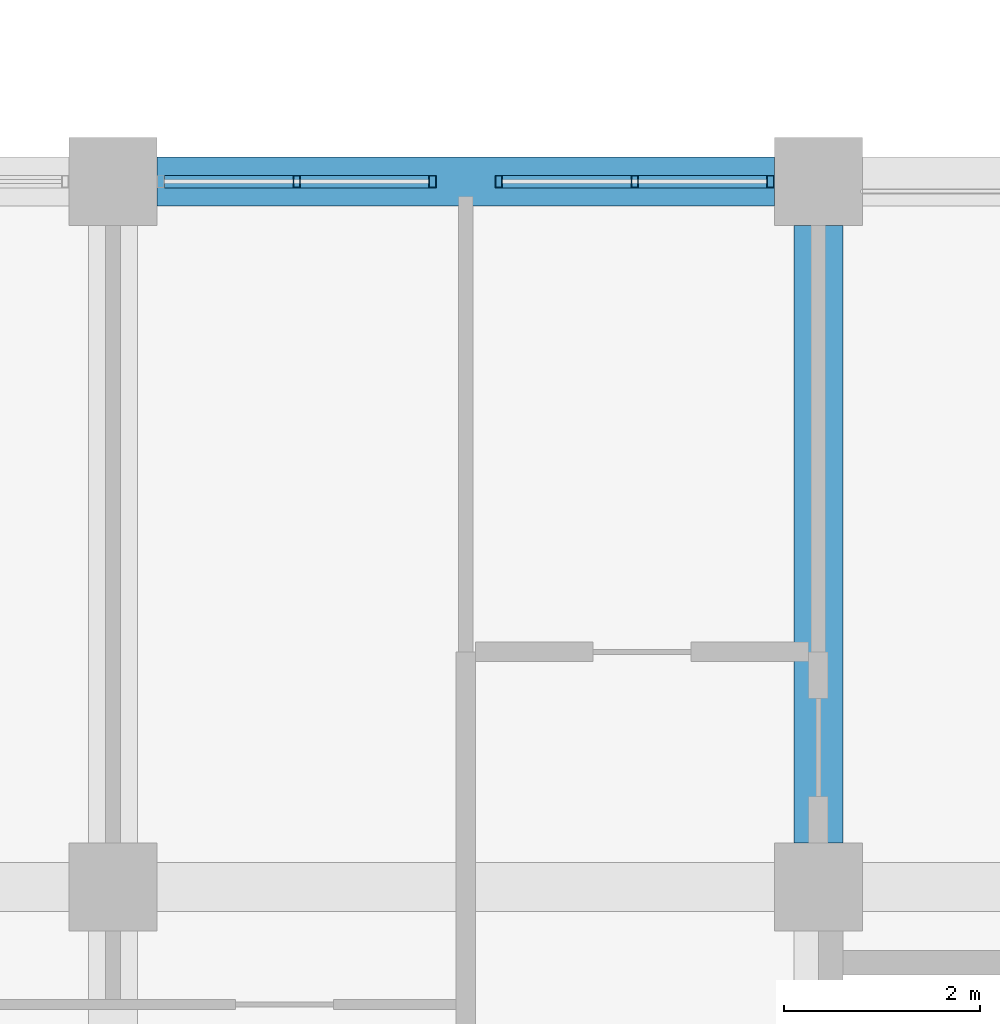
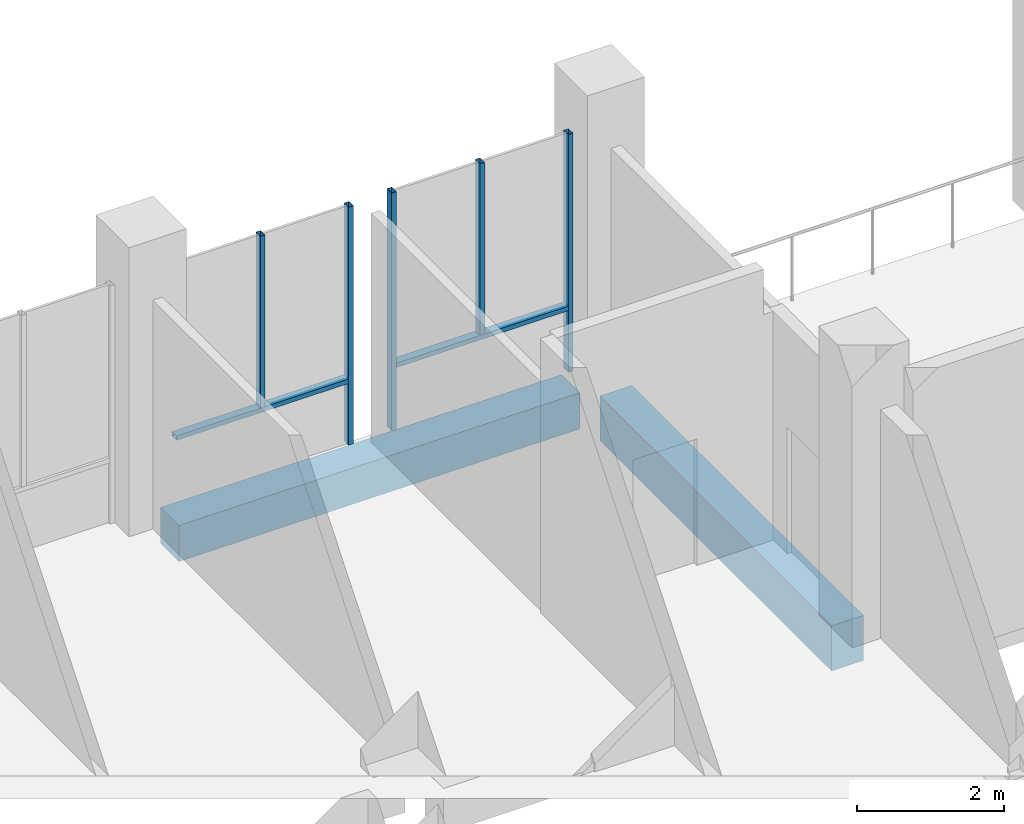
# One storey, part 5 of 30: 7 members, 2 beams, 2 elements without a shape of their own.
"""IFC4 building model written with IfcOpenShell, lengths in metres."""

from ifc_helpers import new_model, si_unit, direction, frame, origin, origin_2d, place, context, subcontext, project, spatial, rectangle, hollow_rectangle, extrude, material, material_profile, profile_set, type_object, element, aggregate, save


model = new_model("IFC4")

# Units and contexts
model_context = context("Model", 3, precision=1e-05, world=origin(), true_north=direction((0.0, 1.0)))
body_context = subcontext(model_context, "Body", "Model", "MODEL_VIEW")
ifc_project = project(units=[si_unit("LENGTHUNIT", "METRE"), si_unit("AREAUNIT", "SQUARE_METRE"), si_unit("VOLUMEUNIT", "CUBIC_METRE"), si_unit("PLANEANGLEUNIT", "RADIAN"), si_unit("MASSUNIT", "GRAM", prefix="KILO")], contexts=[model_context])

# Site, building, storey
site_placement = place(None, origin())
site = spatial("IfcSite", under=ifc_project, at=site_placement, CompositionType="ELEMENT")
building_placement = place(site_placement, origin())
building = spatial("IfcBuilding", under=site, at=building_placement, Name="Silangan Lancet Faculty of Sciences", CompositionType="ELEMENT")
storey_placement = place(building_placement, frame((0.0, 0.0, 31.199951171875)))
storey = spatial("IfcBuildingStorey", under=building, at=storey_placement, Name="L06", CompositionType="ELEMENT", Elevation=31.199951171875)

# Beams
ifc_material_1 = material(Name="Concrete C40/50", Category="concrete")
ifc_material_profile_1 = material_profile(ifc_material_1, rectangle(XDim=0.5, YDim=0.60009765625, at=origin_2d()), Name="RC 500x600")
ifc_profile_set_1 = profile_set([ifc_material_profile_1], Name="Concrete C40/50")
beam_type_1 = type_object("IfcBeamType", Name="BEAM RC 500x600", PredefinedType="BEAM", material=ifc_profile_set_1)
beam_1_placement = place(storey_placement, frame((14.85009765625, 21.60009765625, -0.550048828125), z_axis=(1.0, 0.0, 0.0), x_axis=(0.0, 1.0, 0.0)))
element("IfcBeam", 1, at=beam_1_placement, inside=storey, type_object=beam_type_1, Name="BM-L06-3D-4D", PredefinedType="BEAM", context=body_context, shape_type="SweptSolid", body=[
    extrude(rectangle(XDim=0.5, YDim=0.60009765625, at=origin_2d()), origin(), (0.0, 0.0, 1.0), 6.2998046875),
])
ifc_material_2 = material(Name="Concrete C40/50", Category="concrete")
ifc_material_profile_2 = material_profile(ifc_material_2, rectangle(XDim=0.5, YDim=0.75, at=origin_2d()), Name="RC 500x750")
ifc_profile_set_2 = profile_set([ifc_material_profile_2], Name="Concrete C40/50")
beam_type_2 = type_object("IfcBeamType", Name="BEAM RC 500x750", PredefinedType="BEAM", material=ifc_profile_set_2)
beam_2_placement = place(storey_placement, frame((21.60009765625, 14.85009765625, -0.625), z_axis=(0.0, 1.0, 0.0), x_axis=(-1.0, 0.0, 0.0)))
element("IfcBeam", 2, at=beam_2_placement, inside=storey, type_object=beam_type_2, Name="BM-L06-4C-4D", PredefinedType="BEAM", context=body_context, shape_type="SweptSolid", body=[
    extrude(rectangle(XDim=0.5, YDim=0.75, at=origin_2d()), origin(), (0.0, 0.0, 1.0), 6.2998046875),
])

# Curtain wall, members
ifc_material_3 = material(Name="Aluminium framed curtain wall with insulated glass", Category="aluminium")
curtain_wall_type = type_object("IfcCurtainWallType", Name="CW2 Atrium fire-resisting screen", PredefinedType="NOTDEFINED", material=ifc_material_3)
curtain_wall_1_placement = place(storey_placement, origin())
curtain_wall_1 = element("IfcCurtainWall", 3, at=curtain_wall_1_placement, inside=storey, type_object=curtain_wall_type, Name="CW2 Atrium south L06 bay 1", PredefinedType="NOTDEFINED")
ifc_material_4 = material(Name="Steel S355J2H", Category="steel")
ifc_material_profile_3 = material_profile(ifc_material_4, hollow_rectangle(XDim=0.074951171875, YDim=0.125, WallThickness=0.0048828125, at=origin_2d()), Name="ST BOX 75x125x5")
ifc_profile_set_3 = profile_set([ifc_material_profile_3], Name="Steel S355J2H")
member_type_1 = type_object("IfcMemberType", Name="CM2 Mullion 75x125", PredefinedType="MULLION", material=ifc_profile_set_3)
member_1_placement = place(storey_placement, frame((21.112548828125, 21.60009765625, 0.0), z_axis=(0.0, 0.0, 1.0), x_axis=(-1.0, 0.0, 0.0)))
member_1 = element("IfcMember", 4, at=member_1_placement, type_object=member_type_1, Name="CW2 Atrium south L06 bay 1 mullion 1", PredefinedType="MULLION", context=body_context, shape_type="SweptSolid", body=[
    extrude(hollow_rectangle(XDim=0.074951171875, YDim=0.125, WallThickness=0.0048828125, at=origin_2d()), origin(), (0.0, 0.0, 1.0), 3.949951171875),
])
member_2_placement = place(storey_placement, frame((18.33740234375, 21.60009765625, 0.0), z_axis=(0.0, 0.0, 1.0), x_axis=(-1.0, 0.0, 0.0)))
member_2 = element("IfcMember", 5, at=member_2_placement, type_object=member_type_1, Name="CW2 Atrium south L06 bay 1 mullion 2", PredefinedType="MULLION", context=body_context, shape_type="SweptSolid", body=[
    extrude(hollow_rectangle(XDim=0.074951171875, YDim=0.125, WallThickness=0.0048828125, at=origin_2d()), origin(), (0.0, 0.0, 1.0), 3.949951171875),
])
member_3_placement = place(storey_placement, frame((19.72509765625, 21.60009765625, 1.10009765625), z_axis=(0.0, 0.0, 1.0), x_axis=(-1.0, 0.0, 0.0)))
member_3 = element("IfcMember", 6, at=member_3_placement, type_object=member_type_1, Name="CW2 Atrium south L06 bay 1 mullion 3", PredefinedType="MULLION", context=body_context, shape_type="SweptSolid", body=[
    extrude(hollow_rectangle(XDim=0.074951171875, YDim=0.125, WallThickness=0.0048828125, at=origin_2d()), origin(), (0.0, 0.0, 1.0), 2.849853515625),
])

curtain_wall_2_placement = place(storey_placement, origin())
curtain_wall_2 = element("IfcCurtainWall", 7, at=curtain_wall_2_placement, inside=storey, type_object=curtain_wall_type, Name="CW2 Atrium south L06 bay 2", PredefinedType="NOTDEFINED")
member_4_placement = place(storey_placement, frame((17.66259765625, 21.60009765625, 0.0), z_axis=(0.0, 0.0, 1.0), x_axis=(-1.0, 0.0, 0.0)))
member_4 = element("IfcMember", 8, at=member_4_placement, type_object=member_type_1, Name="CW2 Atrium south L06 bay 2 mullion 1", PredefinedType="MULLION", context=body_context, shape_type="SweptSolid", body=[
    extrude(hollow_rectangle(XDim=0.074951171875, YDim=0.125, WallThickness=0.0048828125, at=origin_2d()), origin(), (0.0, 0.0, 1.0), 3.949951171875),
])
member_5_placement = place(storey_placement, frame((16.27490234375, 21.60009765625, 1.10009765625), z_axis=(0.0, 0.0, 1.0), x_axis=(-1.0, 0.0, 0.0)))
member_5 = element("IfcMember", 9, at=member_5_placement, type_object=member_type_1, Name="CW2 Atrium south L06 bay 2 mullion 3", PredefinedType="MULLION", context=body_context, shape_type="SweptSolid", body=[
    extrude(hollow_rectangle(XDim=0.074951171875, YDim=0.125, WallThickness=0.0048828125, at=origin_2d()), origin(), (0.0, 0.0, 1.0), 2.849853515625),
])

# Member
ifc_material_5 = material(Name="Steel S355J2H", Category="steel")
ifc_material_profile_4 = material_profile(ifc_material_5, hollow_rectangle(XDim=0.125, YDim=0.074951171875, WallThickness=0.0048828125, at=origin_2d()), Name="ST BOX 125x75x5")
ifc_profile_set_4 = profile_set([ifc_material_profile_4], Name="Steel S355J2H")
member_type_2 = type_object("IfcMemberType", Name="CT2 Transom 125x75", PredefinedType="USERDEFINED", material=ifc_profile_set_4)
member_6_placement = place(storey_placement, frame((21.074951171875, 21.60009765625, 1.0625), z_axis=(-1.0, 0.0, 0.0), x_axis=(0.0, -1.0, 0.0)))
member_6 = element("IfcMember", 10, at=member_6_placement, type_object=member_type_2, Name="CW2 Atrium south L06 bay 1 transom 1", ObjectType="TRANSOM", PredefinedType="USERDEFINED", context=body_context, shape_type="SweptSolid", body=[
    extrude(hollow_rectangle(XDim=0.125, YDim=0.074951171875, WallThickness=0.0048828125, at=origin_2d()), origin(), (0.0, 0.0, 1.0), 2.699951171875),
])

aggregate(curtain_wall_1, [member_1, member_2, member_3, member_6])

member_7_placement = place(storey_placement, frame((17.625, 21.60009765625, 1.0625), z_axis=(-1.0, 0.0, 0.0), x_axis=(0.0, -1.0, 0.0)))
member_7 = element("IfcMember", 11, at=member_7_placement, type_object=member_type_2, Name="CW2 Atrium south L06 bay 2 transom 1", ObjectType="TRANSOM", PredefinedType="USERDEFINED", context=body_context, shape_type="SweptSolid", body=[
    extrude(hollow_rectangle(XDim=0.125, YDim=0.074951171875, WallThickness=0.0048828125, at=origin_2d()), origin(), (0.0, 0.0, 1.0), 2.699951171875),
])

aggregate(curtain_wall_2, [member_4, member_5, member_7])

save(model, "model.ifc")
